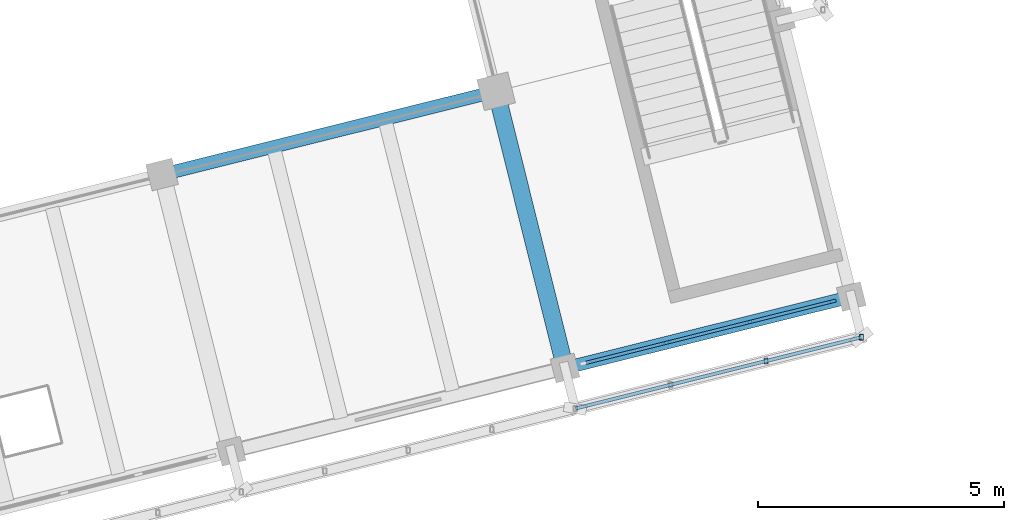
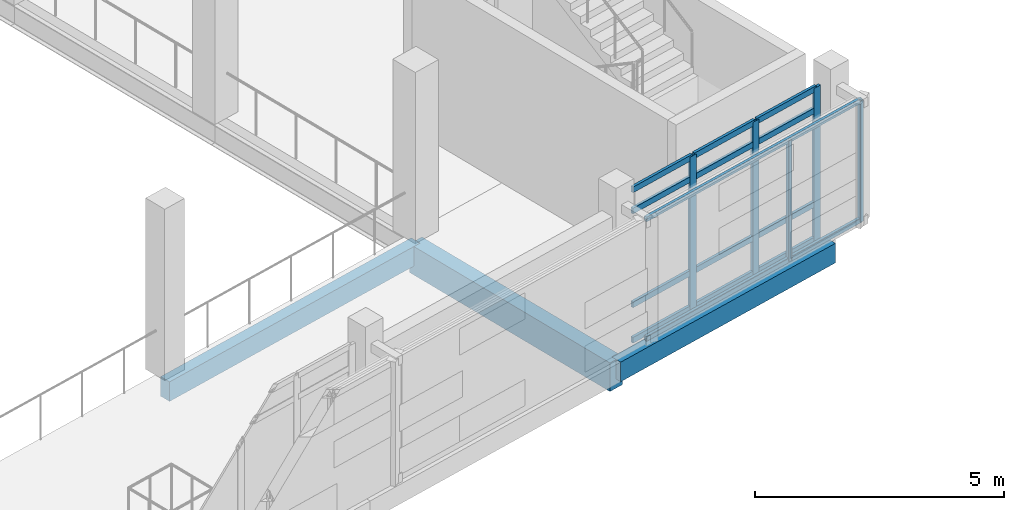
# One storey, part 11 of 137: 19 members, 3 beams, 1 element without a shape of its own.
"""IFC4 building model written with IfcOpenShell, lengths in metres."""

from ifc_helpers import new_model, si_unit, direction, frame, origin, origin_2d, place, context, subcontext, project, spatial, rectangle, hollow_rectangle, extrude, material, material_profile, profile_set, type_object, element, aggregate, save


model = new_model("IFC4")

# Units and contexts
model_context = context("Model", 3, precision=1e-05, world=origin(), true_north=direction((0.0, 1.0)))
body_context = subcontext(model_context, "Body", "Model", "MODEL_VIEW")
ifc_project = project(units=[si_unit("LENGTHUNIT", "METRE"), si_unit("AREAUNIT", "SQUARE_METRE"), si_unit("VOLUMEUNIT", "CUBIC_METRE"), si_unit("PLANEANGLEUNIT", "RADIAN"), si_unit("MASSUNIT", "GRAM", prefix="KILO")], contexts=[model_context])

# Site, building, storey
site_placement = place(None, origin())
site = spatial("IfcSite", under=ifc_project, at=site_placement, CompositionType="ELEMENT")
building_placement = place(site_placement, origin())
building = spatial("IfcBuilding", under=site, at=building_placement, Name="Cinderway Yard Community Centre", CompositionType="ELEMENT")
storey_placement = place(building_placement, frame((0.0, 0.0, 4.800048828125)))
storey = spatial("IfcBuildingStorey", under=building, at=storey_placement, Name="L01", CompositionType="ELEMENT", Elevation=4.800048828125)

# Curtain wall, members
ifc_material_1 = material(Name="Aluminium 6063-T6", Category="aluminium")
curtain_wall_type = type_object("IfcCurtainWallType", Name="ENV-CW-TYPE-06", PredefinedType="USERDEFINED", material=ifc_material_1)
curtain_wall_placement = place(storey_placement, origin())
curtain_wall = element("IfcCurtainWall", 1, at=curtain_wall_placement, inside=storey, type_object=curtain_wall_type, Name="Sanctuary South Curtain Wall ENV-CW-L01-HS-0018", ObjectType="GLAZED CURTAIN WALL", PredefinedType="USERDEFINED")
ifc_material_profile_1 = material_profile(ifc_material_1, rectangle(XDim=0.06494140625, YDim=0.179931640625, at=origin_2d()), Name="Aluminium 6063-T6")
ifc_profile_set_1 = profile_set([ifc_material_profile_1], Name="Aluminium 6063-T6")
member_type_1 = type_object("IfcMemberType", Name="ENV-CW-MULL-180", PredefinedType="MULLION", material=ifc_profile_set_1)
member_1_placement = place(storey_placement, frame((50.444580078125, 26.77734375, 0.0), z_axis=(0.0, 0.0, 1.0), x_axis=(-0.241817034428, 0.970321865084, 0.0)))
member_1 = element("IfcMember", 2, at=member_1_placement, type_object=member_type_1, Name="CW-06 mullion 2", PredefinedType="MULLION", context=body_context, shape_type="SweptSolid", body=[
    extrude(rectangle(XDim=0.06494140625, YDim=0.179931640625, at=origin_2d()), origin(), (0.0, 0.0, 1.0), 3.75),
])
member_2_placement = place(storey_placement, frame((52.139404296875, 27.19970703125, 0.0), z_axis=(0.0, 0.0, 1.0), x_axis=(-0.241817034428, 0.970321865084, 0.0)))
member_2 = element("IfcMember", 3, at=member_2_placement, type_object=member_type_1, Name="CW-06 mullion 3", PredefinedType="MULLION", context=body_context, shape_type="SweptSolid", body=[
    extrude(rectangle(XDim=0.06494140625, YDim=0.179931640625, at=origin_2d()), origin(), (0.0, 0.0, 1.0), 3.75),
])
member_3_placement = place(storey_placement, frame((53.804931640625, 27.61474609375, 0.0), z_axis=(0.0, 0.0, 1.0), x_axis=(-0.241817034428, 0.970321865084, 0.0)))
member_3 = element("IfcMember", 4, at=member_3_placement, type_object=member_type_1, Name="CW-06 mullion 4", PredefinedType="MULLION", context=body_context, shape_type="SweptSolid", body=[
    extrude(rectangle(XDim=0.06494140625, YDim=0.179931640625, at=origin_2d()), origin(), (0.0, 0.0, 1.0), 3.75),
])
ifc_material_profile_2 = material_profile(ifc_material_1, rectangle(XDim=0.06494140625, YDim=0.139892578125, at=origin_2d()), Name="Aluminium 6063-T6")
ifc_profile_set_2 = profile_set([ifc_material_profile_2], Name="Aluminium 6063-T6")
member_type_2 = type_object("IfcMemberType", Name="ENV-CW-TRAN-140", PredefinedType="USERDEFINED", material=ifc_profile_set_2)
member_4_placement = place(storey_placement, frame((48.80810546875, 26.36962890625, 0.030029296875), z_axis=(0.970350209099, 0.241703272011, 0.0), x_axis=(-0.241703272011, 0.970350209099, 0.0)))
member_4 = element("IfcMember", 5, at=member_4_placement, type_object=member_type_2, Name="CW-06 transom 1.1", ObjectType="TRANSOM", PredefinedType="USERDEFINED", context=body_context, shape_type="SweptSolid", body=[
    extrude(rectangle(XDim=0.06494140625, YDim=0.139892578125, at=origin_2d()), origin(), (0.0, 0.0, 1.0), 1.656494140625),
])
member_5_placement = place(storey_placement, frame((48.80810546875, 26.36962890625, 0.89990234375), z_axis=(0.970350209099, 0.241703272011, 0.0), x_axis=(-0.241703272011, 0.970350209099, 0.0)))
member_5 = element("IfcMember", 6, at=member_5_placement, type_object=member_type_2, Name="CW-06 transom 1.2", ObjectType="TRANSOM", PredefinedType="USERDEFINED", context=body_context, shape_type="SweptSolid", body=[
    extrude(rectangle(XDim=0.06494140625, YDim=0.139892578125, at=origin_2d()), origin(), (0.0, 0.0, 1.0), 1.656494140625),
])
member_6_placement = place(storey_placement, frame((48.80810546875, 26.36962890625, 3.199951171875), z_axis=(0.970350209099, 0.241703272011, 0.0), x_axis=(-0.241703272011, 0.970350209099, 0.0)))
member_6 = element("IfcMember", 7, at=member_6_placement, type_object=member_type_2, Name="CW-06 transom 1.3", ObjectType="TRANSOM", PredefinedType="USERDEFINED", context=body_context, shape_type="SweptSolid", body=[
    extrude(rectangle(XDim=0.06494140625, YDim=0.139892578125, at=origin_2d()), origin(), (0.0, 0.0, 1.0), 1.656494140625),
])
member_7_placement = place(storey_placement, frame((48.80810546875, 26.36962890625, 3.719970703125), z_axis=(0.970350209099, 0.241703272011, 0.0), x_axis=(-0.241703272011, 0.970350209099, 0.0)))
member_7 = element("IfcMember", 8, at=member_7_placement, type_object=member_type_2, Name="CW-06 transom 1.4", ObjectType="TRANSOM", PredefinedType="USERDEFINED", context=body_context, shape_type="SweptSolid", body=[
    extrude(rectangle(XDim=0.06494140625, YDim=0.139892578125, at=origin_2d()), origin(), (0.0, 0.0, 1.0), 1.656494140625),
])
member_8_placement = place(storey_placement, frame((50.473876953125, 26.78466796875, 0.030029296875), z_axis=(0.970329575716, 0.241786092427, 0.0), x_axis=(-0.241786092427, 0.970329575716, 0.0)))
member_8 = element("IfcMember", 9, at=member_8_placement, type_object=member_type_2, Name="CW-06 transom 2.1", ObjectType="TRANSOM", PredefinedType="USERDEFINED", context=body_context, shape_type="SweptSolid", body=[
    extrude(rectangle(XDim=0.06494140625, YDim=0.139892578125, at=origin_2d()), origin(), (0.0, 0.0, 1.0), 1.686279296875),
])
member_9_placement = place(storey_placement, frame((50.473876953125, 26.78466796875, 0.89990234375), z_axis=(0.970329575716, 0.241786092427, 0.0), x_axis=(-0.241786092427, 0.970329575716, 0.0)))
member_9 = element("IfcMember", 10, at=member_9_placement, type_object=member_type_2, Name="CW-06 transom 2.2", ObjectType="TRANSOM", PredefinedType="USERDEFINED", context=body_context, shape_type="SweptSolid", body=[
    extrude(rectangle(XDim=0.06494140625, YDim=0.139892578125, at=origin_2d()), origin(), (0.0, 0.0, 1.0), 1.686279296875),
])
member_10_placement = place(storey_placement, frame((50.473876953125, 26.78466796875, 3.199951171875), z_axis=(0.970329575716, 0.241786092427, 0.0), x_axis=(-0.241786092427, 0.970329575716, 0.0)))
member_10 = element("IfcMember", 11, at=member_10_placement, type_object=member_type_2, Name="CW-06 transom 2.3", ObjectType="TRANSOM", PredefinedType="USERDEFINED", context=body_context, shape_type="SweptSolid", body=[
    extrude(rectangle(XDim=0.06494140625, YDim=0.139892578125, at=origin_2d()), origin(), (0.0, 0.0, 1.0), 1.686279296875),
])
member_11_placement = place(storey_placement, frame((50.473876953125, 26.78466796875, 3.719970703125), z_axis=(0.970329575716, 0.241786092427, 0.0), x_axis=(-0.241786092427, 0.970329575716, 0.0)))
member_11 = element("IfcMember", 12, at=member_11_placement, type_object=member_type_2, Name="CW-06 transom 2.4", ObjectType="TRANSOM", PredefinedType="USERDEFINED", context=body_context, shape_type="SweptSolid", body=[
    extrude(rectangle(XDim=0.06494140625, YDim=0.139892578125, at=origin_2d()), origin(), (0.0, 0.0, 1.0), 1.686279296875),
])
member_12_placement = place(storey_placement, frame((52.16845703125, 27.20703125, 0.030029296875), z_axis=(0.970350209099, 0.241703272011, 0.0), x_axis=(-0.241703272011, 0.970350209099, 0.0)))
member_12 = element("IfcMember", 13, at=member_12_placement, type_object=member_type_2, Name="CW-06 transom 3.1", ObjectType="TRANSOM", PredefinedType="USERDEFINED", context=body_context, shape_type="SweptSolid", body=[
    extrude(rectangle(XDim=0.06494140625, YDim=0.139892578125, at=origin_2d()), origin(), (0.0, 0.0, 1.0), 1.656494140625),
])
member_13_placement = place(storey_placement, frame((52.16845703125, 27.20703125, 0.89990234375), z_axis=(0.970350209099, 0.241703272011, 0.0), x_axis=(-0.241703272011, 0.970350209099, 0.0)))
member_13 = element("IfcMember", 14, at=member_13_placement, type_object=member_type_2, Name="CW-06 transom 3.2", ObjectType="TRANSOM", PredefinedType="USERDEFINED", context=body_context, shape_type="SweptSolid", body=[
    extrude(rectangle(XDim=0.06494140625, YDim=0.139892578125, at=origin_2d()), origin(), (0.0, 0.0, 1.0), 1.656494140625),
])
member_14_placement = place(storey_placement, frame((52.16845703125, 27.20703125, 3.199951171875), z_axis=(0.970350209099, 0.241703272011, 0.0), x_axis=(-0.241703272011, 0.970350209099, 0.0)))
member_14 = element("IfcMember", 15, at=member_14_placement, type_object=member_type_2, Name="CW-06 transom 3.3", ObjectType="TRANSOM", PredefinedType="USERDEFINED", context=body_context, shape_type="SweptSolid", body=[
    extrude(rectangle(XDim=0.06494140625, YDim=0.139892578125, at=origin_2d()), origin(), (0.0, 0.0, 1.0), 1.656494140625),
])
member_15_placement = place(storey_placement, frame((52.16845703125, 27.20703125, 3.719970703125), z_axis=(0.970350209099, 0.241703272011, 0.0), x_axis=(-0.241703272011, 0.970350209099, 0.0)))
member_15 = element("IfcMember", 16, at=member_15_placement, type_object=member_type_2, Name="CW-06 transom 3.4", ObjectType="TRANSOM", PredefinedType="USERDEFINED", context=body_context, shape_type="SweptSolid", body=[
    extrude(rectangle(XDim=0.06494140625, YDim=0.139892578125, at=origin_2d()), origin(), (0.0, 0.0, 1.0), 1.656494140625),
])
aggregate(curtain_wall, [member_1, member_2, member_3, member_4, member_5, member_6, member_7, member_8, member_9, member_10, member_11, member_12, member_13, member_14, member_15])

# Members
ifc_material_2 = material(Name="Steel S355", Category="steel")
ifc_material_profile_3 = material_profile(ifc_material_2, hollow_rectangle(XDim=0.080078125, YDim=0.1201171875, WallThickness=0.00634765625, InnerFilletRadius=0.00634765625, OuterFilletRadius=0.0126953125, at=origin_2d()), Name="Steel S355")
ifc_profile_set_3 = profile_set([ifc_material_profile_3], Name="Steel S355")
member_type_3 = type_object("IfcMemberType", Name="ENV-MEM-SCREEN-RAIL-120", PredefinedType="STRINGER", material=ifc_profile_set_3)
for number, where, z_axis, x_axis, name in (
    (17, (48.5869140625, 25.43798828125, 0.7099609375), (0.970321746773, 0.241817509166, 0.0), (-0.241817509166, 0.970321746773, 0.0), "Screen support rail 0848-BOT"),
    (18, (48.5869140625, 25.43798828125, 3.639892578125), (0.970321746773, 0.241817509166, 0.0), (-0.241817509166, 0.970321746773, 0.0), "Screen support rail 0849-TOP"),
):
    element("IfcMember", number, at=place(storey_placement, frame(where, z_axis=z_axis, x_axis=x_axis)), inside=storey, type_object=member_type_3, Name=name, PredefinedType="STRINGER", context=body_context, shape_type="SweptSolid", body=[
        extrude(hollow_rectangle(XDim=0.080078125, YDim=0.1201171875, WallThickness=0.00634765625, InnerFilletRadius=0.00634765625, OuterFilletRadius=0.0126953125, at=origin_2d()), origin(), (0.0, 0.0, 1.0), 6.0),
    ])
for number, where, z_axis, x_axis, name in (
    (19, (52.468017578125, 26.405029296875, 0.68994140625), (0.0, 0.0, 1.0), (1.0, 0.0, 0.0), "Screen vertical mullion 0851"),
    (20, (54.408935546875, 26.888916015625, 0.68994140625), (0.0, 0.0, 1.0), (1.0, 0.0, 0.0), "Screen vertical mullion 0852"),
):
    element("IfcMember", number, at=place(storey_placement, frame(where, z_axis=z_axis, x_axis=x_axis)), inside=storey, type_object=member_type_3, Name=name, PredefinedType="STRINGER", context=body_context, shape_type="SweptSolid", body=[
        extrude(hollow_rectangle(XDim=0.080078125, YDim=0.1201171875, WallThickness=0.00634765625, InnerFilletRadius=0.00634765625, OuterFilletRadius=0.0126953125, at=origin_2d()), origin(), (0.0, 0.0, 1.0), 2.969970703125),
    ])

# Beams
ifc_material_3 = material(Name="Concrete C40/50", Category="concrete")
ifc_material_profile_4 = material_profile(ifc_material_3, rectangle(XDim=0.260009765625, YDim=0.47998046875, at=origin_2d()), Name="Concrete C40/50")
ifc_profile_set_4 = profile_set([ifc_material_profile_4], Name="Concrete C40/50")
beam_type_1 = type_object("IfcBeamType", Name="STR-BM-RC260X480", PredefinedType="SPANDREL", material=ifc_profile_set_4)
beam_1_placement = place(storey_placement, frame((48.381103515625, 26.262939453125, -0.47998046875), z_axis=(0.970309818485, 0.241865367822, 0.0), x_axis=(-0.241865367822, 0.970309818485, 0.0)))
element("IfcBeam", 21, at=beam_1_placement, inside=storey, type_object=beam_type_1, Name="Primary girder STR-BM-L01-SP01-0004", PredefinedType="SPANDREL", context=body_context, shape_type="SweptSolid", body=[
    extrude(rectangle(XDim=0.260009765625, YDim=0.47998046875, at=origin_2d()), origin(), (0.0, 0.0, 1.0), 6.0),
])
beam_2_placement = place(storey_placement, frame((40.18603515625, 30.197021484375, -0.47998046875), z_axis=(0.970273659022, 0.242010385333, 0.0), x_axis=(-0.242010385333, 0.970273659022, 0.0)))
element("IfcBeam", 22, at=beam_2_placement, inside=storey, type_object=beam_type_1, Name="Primary girder STR-BM-L01-SP01-0007", PredefinedType="SPANDREL", context=body_context, shape_type="SweptSolid", body=[
    extrude(rectangle(XDim=0.260009765625, YDim=0.47998046875, at=origin_2d()), origin(), (0.0, 0.0, 1.0), 7.0),
])
ifc_material_4 = material(Name="Concrete C35/45", Category="concrete")
ifc_material_profile_5 = material_profile(ifc_material_4, rectangle(XDim=0.35009765625, YDim=0.699951171875, at=origin_2d()), Name="Concrete C35/45")
ifc_profile_set_5 = profile_set([ifc_material_profile_5], Name="Concrete C35/45")
beam_type_2 = type_object("IfcBeamType", Name="STR-BM-RC350X700", PredefinedType="BEAM", material=ifc_profile_set_5)
beam_3_placement = place(storey_placement, frame((48.381103515625, 26.262939453125, -0.590087890625), z_axis=(-0.241891840607, 0.970303219333, 0.0), x_axis=(-0.970303219333, -0.241891840607, 0.0)))
element("IfcBeam", 23, at=beam_3_placement, inside=storey, type_object=beam_type_2, Name="Transverse girder STR-BM-L01-BG07-0011", PredefinedType="BEAM", context=body_context, shape_type="SweptSolid", body=[
    extrude(rectangle(XDim=0.35009765625, YDim=0.699951171875, at=origin_2d()), origin(), (0.0, 0.0, 1.0), 5.800537109375),
])

save(model, "model.ifc")
